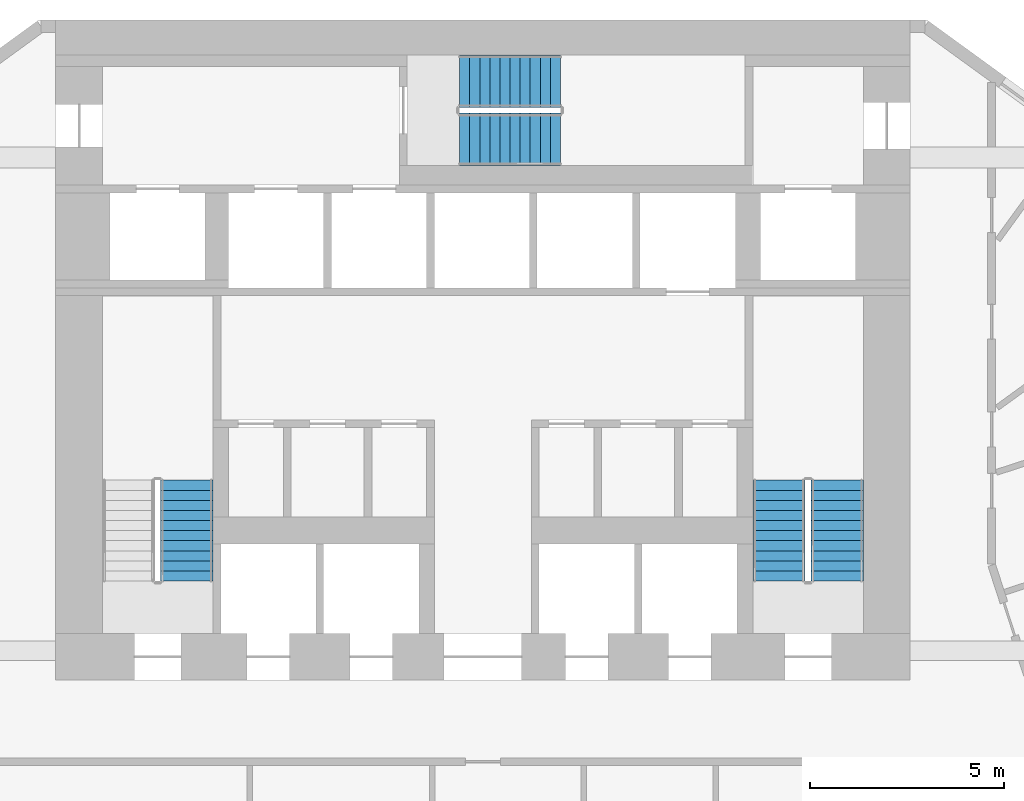
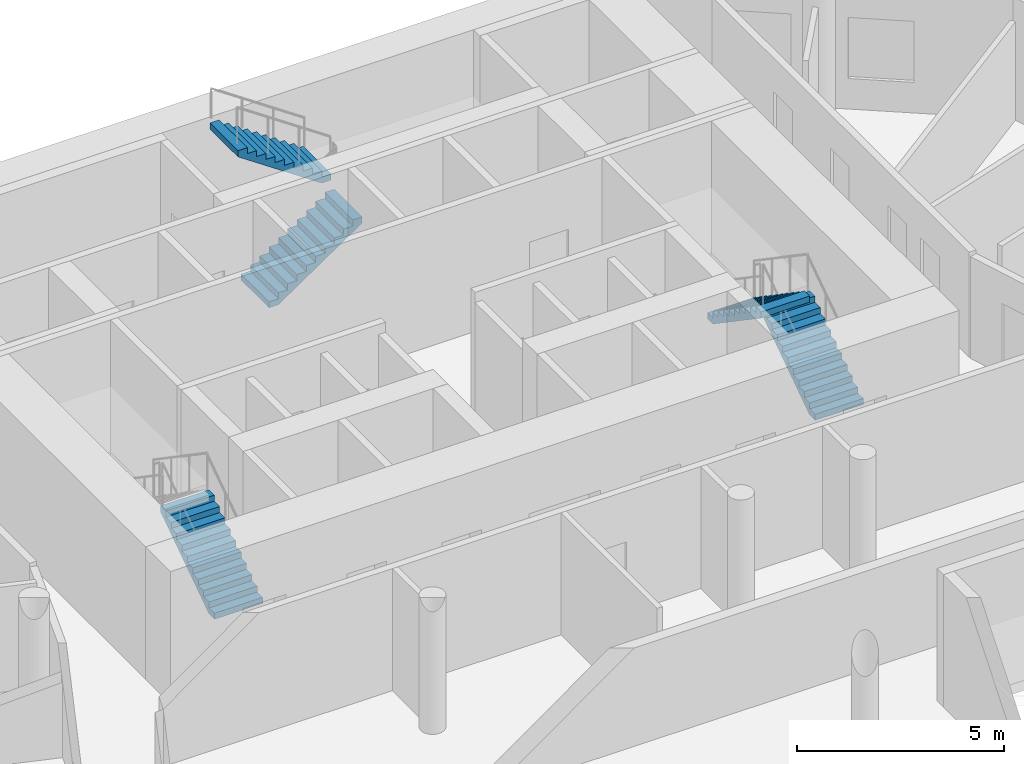
# One storey, part 7 of 9: 5 stair flights, 3 elements without a shape of their own.
"""IFC4 building model written with IfcOpenShell, lengths in metres."""

from ifc_helpers import new_model, si_unit, direction, frame, origin, place, context, subcontext, project, spatial, polyline, outline, extrude, material, layer, layer_set, type_object, element, aggregate, save


model = new_model("IFC4")

# Units and contexts
model_context = context("Model", 3, precision=1e-05, world=origin(), true_north=direction((0.0, 1.0)))
body_context = subcontext(model_context, "Body", "Model", "MODEL_VIEW")
ifc_project = project(units=[si_unit("LENGTHUNIT", "METRE"), si_unit("AREAUNIT", "SQUARE_METRE"), si_unit("VOLUMEUNIT", "CUBIC_METRE"), si_unit("PLANEANGLEUNIT", "RADIAN"), si_unit("MASSUNIT", "GRAM", prefix="KILO")], contexts=[model_context])

# Site, building, storey
site_placement = place(None, origin())
site = spatial("IfcSite", under=ifc_project, at=site_placement, CompositionType="ELEMENT")
building_placement = place(site_placement, origin())
building = spatial("IfcBuilding", under=site, at=building_placement, Name="White Candle Pilgrim Tower", CompositionType="ELEMENT")
storey_placement = place(building_placement, frame((0.0, 0.0, 58.5)))
storey = spatial("IfcBuildingStorey", under=building, at=storey_placement, Name="L11", CompositionType="ELEMENT", Elevation=58.5)

# Stair, stair flight
ifc_material = material(Name="Concrete C40/50", Category="concrete")
stair_type_1 = type_object("IfcStairType", Name="Exit stair 1 flight width 1350 mm", PredefinedType="HALF_TURN_STAIR", material=ifc_material)
stair_1_placement = place(storey_placement, origin())
stair_1 = element("IfcStair", 1, at=stair_1_placement, inside=storey, type_object=stair_type_1, Name="L11 stair 1", PredefinedType="NOTDEFINED")
ifc_layer = layer(ifc_material, 0.14990234375)
ifc_layer_set = layer_set([ifc_layer], Name="Stair flight Concrete C40/50")
stair_flight_type = type_object("IfcStairFlightType", Name="Stair flight Concrete C40/50", PredefinedType="STRAIGHT", material=ifc_layer_set)
stair_flight_1_placement = place(storey_placement, frame((62.375, 73.550048828125, 0.0), z_axis=(0.0, 0.0, 1.0), x_axis=(0.0, 1.0, 0.0)))
stair_flight_1 = element("IfcStairFlight", 2, at=stair_flight_1_placement, type_object=stair_flight_type, Name="ST1 flight 1", NumberOfRisers=11, NumberOfTreads=10, PredefinedType="NOTDEFINED", RiserHeight=0.177272727, TreadLength=0.26, context=body_context, shape_type="SweptSolid", body=[
    extrude(outline(polyline([(0.0, 0.0), (0.0, 0.17724609375), (0.260009765625, 0.17724609375), (0.260009765625, 0.3544921875), (0.52001953125, 0.3544921875), (0.52001953125, 0.53173828125), (0.780029296875, 0.53173828125), (0.780029296875, 0.708984375), (1.0400390625, 0.708984375), (1.0400390625, 0.886474609375), (1.300048828125, 0.886474609375), (1.300048828125, 1.063720703125), (1.56005859375, 1.063720703125), (1.56005859375, 1.240966796875), (1.820068359375, 1.240966796875), (1.820068359375, 1.418212890625), (2.080078125, 1.418212890625), (2.080078125, 1.595458984375), (2.340087890625, 1.595458984375), (2.340087890625, 1.772705078125), (2.60009765625, 1.772705078125), (2.60009765625, 1.949951171875), (2.60009765625, 1.59130859375), (0.26611328125, 0.0), (0.0, 0.0)])), frame((0.0, 0.675048828125, 0.0), z_axis=(0.0, -1.0, 0.0), x_axis=(1.0, 0.0, 0.0)), (0.0, 0.0, 1.0), 1.35009765625),
])
aggregate(stair_1, [stair_flight_1])

# Stair, stair flights
stair_type_2 = type_object("IfcStairType", Name="Exit stair 2 flight width 1350 mm", PredefinedType="HALF_TURN_STAIR", material=ifc_material)
stair_2_placement = place(storey_placement, origin())
stair_2 = element("IfcStair", 3, at=stair_2_placement, inside=storey, type_object=stair_type_2, Name="L11 stair 2", PredefinedType="NOTDEFINED")
stair_flight_2_placement = place(storey_placement, frame((79.125, 73.550048828125, 0.0), z_axis=(0.0, 0.0, 1.0), x_axis=(0.0, 1.0, 0.0)))
stair_flight_2 = element("IfcStairFlight", 4, at=stair_flight_2_placement, type_object=stair_flight_type, Name="ST2 flight 1", NumberOfRisers=11, NumberOfTreads=10, PredefinedType="NOTDEFINED", RiserHeight=0.177272727, TreadLength=0.26, context=body_context, shape_type="SweptSolid", body=[
    extrude(outline(polyline([(0.0, 0.0), (0.0, 0.17724609375), (0.260009765625, 0.17724609375), (0.260009765625, 0.3544921875), (0.52001953125, 0.3544921875), (0.52001953125, 0.53173828125), (0.780029296875, 0.53173828125), (0.780029296875, 0.708984375), (1.0400390625, 0.708984375), (1.0400390625, 0.886474609375), (1.300048828125, 0.886474609375), (1.300048828125, 1.063720703125), (1.56005859375, 1.063720703125), (1.56005859375, 1.240966796875), (1.820068359375, 1.240966796875), (1.820068359375, 1.418212890625), (2.080078125, 1.418212890625), (2.080078125, 1.595458984375), (2.340087890625, 1.595458984375), (2.340087890625, 1.772705078125), (2.60009765625, 1.772705078125), (2.60009765625, 1.949951171875), (2.60009765625, 1.59130859375), (0.26611328125, 0.0), (0.0, 0.0)])), frame((0.0, 0.675048828125, 0.0), z_axis=(0.0, -1.0, 0.0), x_axis=(1.0, 0.0, 0.0)), (0.0, 0.0, 1.0), 1.35009765625),
])
stair_flight_3_placement = place(storey_placement, frame((77.625, 76.14990234375, 1.949951171875), z_axis=(0.0, 0.0, 1.0), x_axis=(0.0, -1.0, 0.0)))
stair_flight_3 = element("IfcStairFlight", 5, at=stair_flight_3_placement, type_object=stair_flight_type, Name="ST2 flight 2", NumberOfRisers=11, NumberOfTreads=10, PredefinedType="NOTDEFINED", RiserHeight=0.177272727, TreadLength=0.26, context=body_context, shape_type="SweptSolid", body=[
    extrude(outline(polyline([(0.0, 0.0), (0.0, 0.17724609375), (0.260009765625, 0.17724609375), (0.260009765625, 0.3544921875), (0.52001953125, 0.3544921875), (0.52001953125, 0.53173828125), (0.780029296875, 0.53173828125), (0.780029296875, 0.708984375), (1.0400390625, 0.708984375), (1.0400390625, 0.886474609375), (1.300048828125, 0.886474609375), (1.300048828125, 1.063720703125), (1.56005859375, 1.063720703125), (1.56005859375, 1.240966796875), (1.820068359375, 1.240966796875), (1.820068359375, 1.418212890625), (2.080078125, 1.418212890625), (2.080078125, 1.595458984375), (2.340087890625, 1.595458984375), (2.340087890625, 1.772705078125), (2.60009765625, 1.772705078125), (2.60009765625, 1.949951171875), (2.60009765625, 1.59130859375), (0.26611328125, 0.0), (0.0, 0.0)])), frame((0.0, 0.675048828125, 0.0), z_axis=(0.0, -1.0, 0.0), x_axis=(1.0, 0.0, 0.0)), (0.0, 0.0, 1.0), 1.35009765625),
])
aggregate(stair_2, [stair_flight_2, stair_flight_3])

stair_type_3 = type_object("IfcStairType", Name="Exit stair 3 flight width 1350 mm", PredefinedType="HALF_TURN_STAIR", material=ifc_material)
stair_3_placement = place(storey_placement, origin())
stair_3 = element("IfcStair", 6, at=stair_3_placement, inside=storey, type_object=stair_type_3, Name="L11 stair 3", PredefinedType="NOTDEFINED")
stair_flight_4_placement = place(storey_placement, frame((69.39990234375, 84.925048828125, 0.0), z_axis=(0.0, 0.0, 1.0), x_axis=(1.0, 0.0, 0.0)))
stair_flight_4 = element("IfcStairFlight", 7, at=stair_flight_4_placement, type_object=stair_flight_type, Name="ST3 flight 1", NumberOfRisers=11, NumberOfTreads=10, PredefinedType="NOTDEFINED", RiserHeight=0.177272727, TreadLength=0.26, context=body_context, shape_type="SweptSolid", body=[
    extrude(outline(polyline([(0.0, 0.0), (0.0, 0.17724609375), (0.260009765625, 0.17724609375), (0.260009765625, 0.3544921875), (0.52001953125, 0.3544921875), (0.52001953125, 0.53173828125), (0.780029296875, 0.53173828125), (0.780029296875, 0.708984375), (1.0400390625, 0.708984375), (1.0400390625, 0.886474609375), (1.300048828125, 0.886474609375), (1.300048828125, 1.063720703125), (1.56005859375, 1.063720703125), (1.56005859375, 1.240966796875), (1.820068359375, 1.240966796875), (1.820068359375, 1.418212890625), (2.080078125, 1.418212890625), (2.080078125, 1.595458984375), (2.340087890625, 1.595458984375), (2.340087890625, 1.772705078125), (2.60009765625, 1.772705078125), (2.60009765625, 1.949951171875), (2.60009765625, 1.59130859375), (0.26611328125, 0.0), (0.0, 0.0)])), frame((0.0, 0.675048828125, 0.0), z_axis=(0.0, -1.0, 0.0), x_axis=(1.0, 0.0, 0.0)), (0.0, 0.0, 1.0), 1.35009765625),
])
stair_flight_5_placement = place(storey_placement, frame((72.0, 86.425048828125, 1.949951171875), z_axis=(0.0, 0.0, 1.0), x_axis=(-1.0, 0.0, 0.0)))
stair_flight_5 = element("IfcStairFlight", 8, at=stair_flight_5_placement, type_object=stair_flight_type, Name="ST3 flight 2", NumberOfRisers=11, NumberOfTreads=10, PredefinedType="NOTDEFINED", RiserHeight=0.177272727, TreadLength=0.26, context=body_context, shape_type="SweptSolid", body=[
    extrude(outline(polyline([(0.0, 0.0), (0.0, 0.17724609375), (0.260009765625, 0.17724609375), (0.260009765625, 0.3544921875), (0.52001953125, 0.3544921875), (0.52001953125, 0.53173828125), (0.780029296875, 0.53173828125), (0.780029296875, 0.708984375), (1.0400390625, 0.708984375), (1.0400390625, 0.886474609375), (1.300048828125, 0.886474609375), (1.300048828125, 1.063720703125), (1.56005859375, 1.063720703125), (1.56005859375, 1.240966796875), (1.820068359375, 1.240966796875), (1.820068359375, 1.418212890625), (2.080078125, 1.418212890625), (2.080078125, 1.595458984375), (2.340087890625, 1.595458984375), (2.340087890625, 1.772705078125), (2.60009765625, 1.772705078125), (2.60009765625, 1.949951171875), (2.60009765625, 1.59130859375), (0.26611328125, 0.0), (0.0, 0.0)])), frame((0.0, 0.675048828125, 0.0), z_axis=(0.0, -1.0, 0.0), x_axis=(1.0, 0.0, 0.0)), (0.0, 0.0, 1.0), 1.35009765625),
])
aggregate(stair_3, [stair_flight_4, stair_flight_5])

save(model, "model.ifc")
